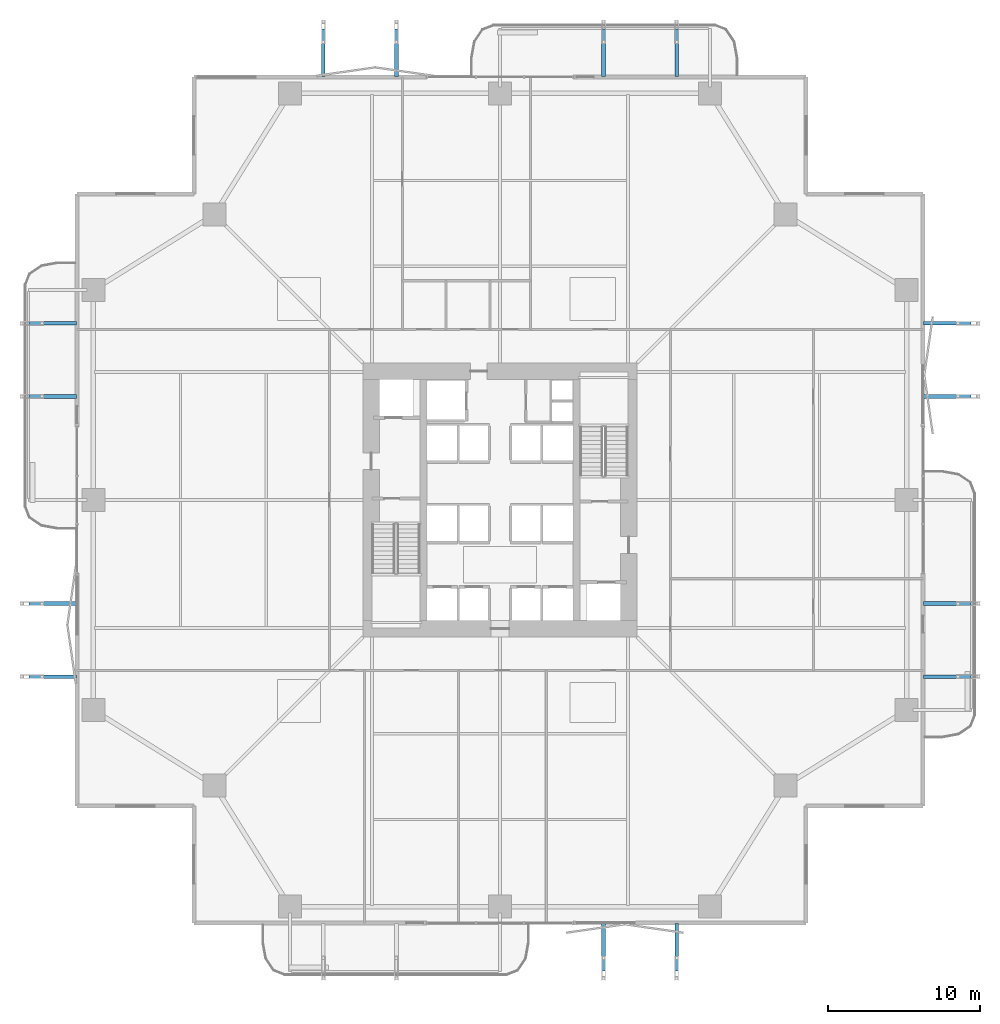
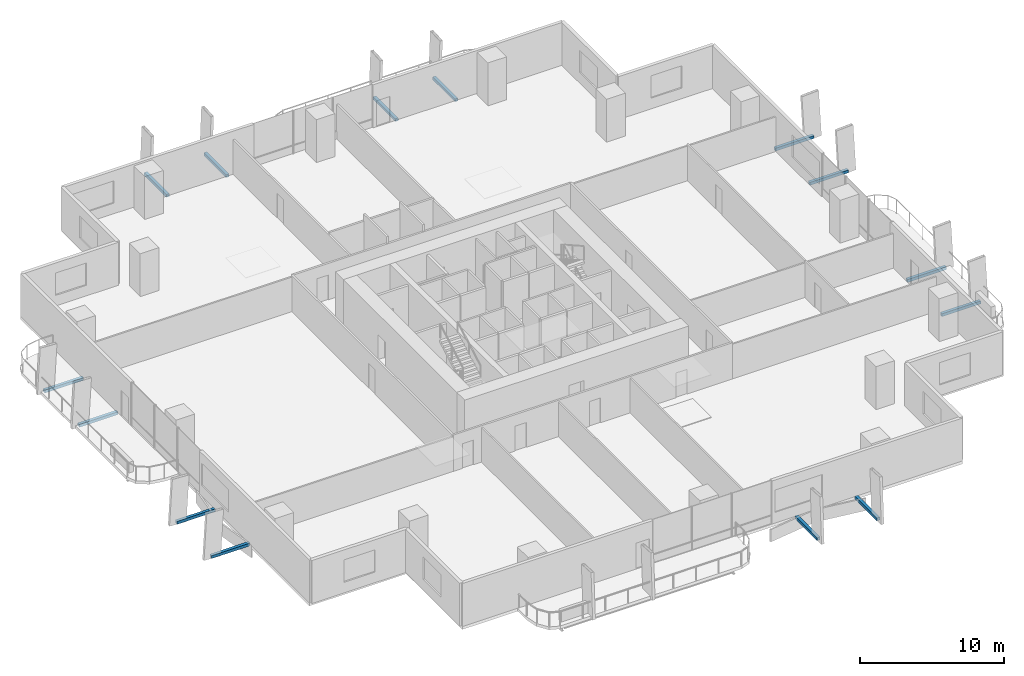
# One storey, part 20 of 23: 14 discrete accessories.
"""IFC4 building model written with IfcOpenShell, lengths in metres."""

import ifcopenshell
import ifcopenshell.guid

model = None  # the IFC model being written
_history = None  # IfcOwnerHistory: only IFC2X3 demands one
_inside = {}  # id of a spatial element -> (the spatial element, [elements in it])
_under = {}  # id of a project, library or spatial element -> (it, [spatial elements below it])
_declared = {}  # id of a project -> (the project, [libraries it declares])
_typed = {}  # id of a type object -> (the type object, [elements of that type])
_made_of = {}  # id of a material, layer set ... -> (it, [elements and type objects made of it])


def new_model(schema):
    """Start an empty IFC model of exactly this schema.

    Asked for "IFC4X3", IfcOpenShell would pick the latest addendum, in which some entities
    have other attributes; the version numbers below select the first issue.
    IFC2X3 requires an IfcOwnerHistory on every rooted entity: one is made here for all.
    """
    global model, _history
    if schema == "IFC4X3":
        model = ifcopenshell.file(schema_version=(4, 3, 0, 0))
    else:
        model = ifcopenshell.file(schema=schema)
    _inside.clear()
    _under.clear()
    _declared.clear()
    _typed.clear()
    _made_of.clear()
    _history = None
    if model.schema == "IFC2X3":
        org = make("IfcOrganization", Name="unknown")
        user = make(
            "IfcPersonAndOrganization",
            ThePerson=make("IfcPerson", FamilyName="unknown"),
            TheOrganization=org,
        )
        app = make(
            "IfcApplication",
            ApplicationDeveloper=org,
            Version="unknown",
            ApplicationFullName="unknown",
            ApplicationIdentifier="unknown",
        )
        _history = make(
            "IfcOwnerHistory",
            OwningUser=user,
            OwningApplication=app,
            ChangeAction="ADDED",
            CreationDate=0,
        )
    return model


def make(cls, **values):
    """One entity of the class cls with the attributes given. An attribute that is None is left unset."""
    return model.create_entity(
        cls, **{name: value for name, value in values.items() if value is not None}
    )


def rooted(cls, **values):
    """An entity with a GlobalId (a new one), such as an element, a storey or a relation."""
    return make(cls, GlobalId=ifcopenshell.guid.new(), OwnerHistory=_history, **values)


def si_unit(unit_type, name, prefix=None):
    """IfcSIUnit, for example si_unit("LENGTHUNIT", "METRE", prefix="MILLI")."""
    return make("IfcSIUnit", UnitType=unit_type, Prefix=prefix, Name=name)


def assignment(units):
    """IfcUnitAssignment: the units of a project."""
    return None if units is None else make("IfcUnitAssignment", Units=units)


def point(xyz):
    """IfcCartesianPoint."""
    return None if xyz is None else make("IfcCartesianPoint", Coordinates=xyz)


def direction(xyz):
    """IfcDirection."""
    return None if xyz is None else make("IfcDirection", DirectionRatios=xyz)


def frame(location, z_axis=None, x_axis=None):
    """IfcAxis2Placement3D, a coordinate frame: its origin and axes. An axis left out is left unset."""
    return make(
        "IfcAxis2Placement3D",
        Location=point(location),
        Axis=direction(z_axis),
        RefDirection=direction(x_axis),
    )


def frame_2d(location, x_axis=None):
    """IfcAxis2Placement2D, a coordinate frame in the plane: its origin and x axis."""
    return make(
        "IfcAxis2Placement2D", Location=point(location), RefDirection=direction(x_axis)
    )


def origin():
    """The frame at (0, 0, 0) with its axes left unset."""
    return frame((0.0, 0.0, 0.0))


def origin_2d():
    """The frame at (0, 0) in the plane with its x axis left unset."""
    return frame_2d((0.0, 0.0))


def place(relative_to, where):
    """IfcLocalPlacement: puts the frame where relative to a parent placement (None: the world)."""
    return make(
        "IfcLocalPlacement", PlacementRelTo=relative_to, RelativePlacement=where
    )


def context(
    kind, dimensions, precision=None, world=None, true_north=None, identifier=None
):
    """IfcGeometricRepresentationContext, for example the 3D "Model" context."""
    return make(
        "IfcGeometricRepresentationContext",
        ContextIdentifier=identifier,
        ContextType=kind,
        CoordinateSpaceDimension=dimensions,
        Precision=precision,
        WorldCoordinateSystem=world,
        TrueNorth=true_north,
    )


def subcontext(parent, identifier, kind, view, scale=None):
    """IfcGeometricRepresentationSubContext, for example "Body" below "Model"."""
    return make(
        "IfcGeometricRepresentationSubContext",
        ContextIdentifier=identifier,
        ContextType=kind,
        ParentContext=parent,
        TargetScale=scale,
        TargetView=view,
    )


def project(units=None, contexts=None):
    """IfcProject with its units and contexts."""
    return rooted(
        "IfcProject",
        Name="project",
        RepresentationContexts=contexts,
        UnitsInContext=assignment(units),
    )


def spatial(cls, under=None, at=None, **own):
    """A site, building, storey or space (cls), placed at a placement, below another one or the project."""
    s = rooted(cls, ObjectPlacement=at, **own)
    if under is not None:
        _under.setdefault(under.id(), (under, []))[1].append(s)
    return s


def profile(cls, at=None, kind="AREA", **sizes):
    """A parametric profile (cls). Its sizes go by their IFC names, for example OverallWidth=200.0."""
    return make(cls, ProfileType=kind, Position=at, **sizes)


def rectangle(**sizes):
    """IfcRectangleProfileDef."""
    return profile("IfcRectangleProfileDef", **sizes)


def extrude(swept, where, along, depth):
    """IfcExtrudedAreaSolid: the profile swept, set in the frame where, extruded along a direction by depth."""
    return make(
        "IfcExtrudedAreaSolid",
        SweptArea=swept,
        Position=where,
        ExtrudedDirection=direction(along),
        Depth=depth,
    )


def shape(context_of_items, identifier, shape_type, items):
    """IfcShapeRepresentation: the items that make up one representation, for example the "Body"."""
    return make(
        "IfcShapeRepresentation",
        ContextOfItems=context_of_items,
        RepresentationIdentifier=identifier,
        RepresentationType=shape_type,
        Items=items,
    )


def material(Name=None, Category=None):
    """IfcMaterial."""
    return make("IfcMaterial", Name=Name, Category=Category)


def layer(
    of_material, thickness, ventilated=None, Name=None, Category=None, Priority=None
):
    """IfcMaterialLayer: one layer of a wall or slab, of a material (None: an air gap)."""
    return make(
        "IfcMaterialLayer",
        Material=of_material,
        LayerThickness=thickness,
        IsVentilated=ventilated,
        Name=Name,
        Category=Category,
        Priority=Priority,
    )


def layer_set(layers, Name=None):
    """IfcMaterialLayerSet."""
    return make("IfcMaterialLayerSet", MaterialLayers=layers, LayerSetName=Name)


def made_of(thing, what):
    """Note that an element or type object is made of a material, layer set ...; save() writes the relation."""
    if what is not None:
        _made_of.setdefault(what.id(), (what, []))[1].append(thing)
    return thing


def type_object(cls, material=None, **own):
    """A type object (cls), such as IfcWallType, which elements share."""
    return made_of(rooted(cls, **own), material)


def element(
    cls,
    number,
    at=None,
    inside=None,
    cuts=None,
    type_object=None,
    material=None,
    context=None,
    identifier="Body",
    shape_type=None,
    held_by="IfcProductDefinitionShape",
    body=None,
    shapes=None,
    **own,
):
    """One element of the class cls, such as IfcWall. Its Tag is "e" and its number.

    at: its placement. inside: the storey or other place that contains it. cuts: it is an
    opening in that element (IfcRelVoidsElement). A single representation is given by context,
    identifier, shape_type and body (its items); several are given by shapes. held_by: the class
    of the entity that holds the representations. save() writes the other relations.
    """
    e = rooted(cls, Tag="e%d" % number, ObjectPlacement=at, **own)
    if body is not None:
        shapes = [shape(context, identifier, shape_type, body)]
    if shapes is not None:
        e.Representation = make(held_by, Representations=shapes)
    if inside is not None:
        _inside.setdefault(inside.id(), (inside, []))[1].append(e)
    if cuts is not None:
        rooted(
            "IfcRelVoidsElement", RelatingBuildingElement=cuts, RelatedOpeningElement=e
        )
    if type_object is not None:
        _typed.setdefault(type_object.id(), (type_object, []))[1].append(e)
    return made_of(e, material)


def aggregate(whole, parts):
    """IfcRelAggregates: a whole, such as a stair, and the parts it consists of."""
    return rooted("IfcRelAggregates", RelatingObject=whole, RelatedObjects=parts)


def save(model, path):
    """Write the relations noted so far, then the file.

    IfcRelAggregates (storeys below a building ...), IfcRelContainedInSpatialStructure (elements
    in a storey), IfcRelDefinesByType, IfcRelAssociatesMaterial and IfcRelDeclares: one each for
    every whole, place, type object, material and project.
    """
    for whole, parts in _under.values():
        aggregate(whole, parts)
    for where, things in _inside.values():
        rooted(
            "IfcRelContainedInSpatialStructure",
            RelatedElements=things,
            RelatingStructure=where,
        )
    for kind, things in _typed.values():
        rooted("IfcRelDefinesByType", RelatedObjects=things, RelatingType=kind)
    for what, things in _made_of.values():
        rooted("IfcRelAssociatesMaterial", RelatedObjects=things, RelatingMaterial=what)
    for by, libraries in _declared.values():
        rooted("IfcRelDeclares", RelatingContext=by, RelatedDefinitions=libraries)
    model.write(path)


model = new_model("IFC4")

# Units and contexts
model_context = context("Model", 3, precision=1e-05, world=origin(), true_north=direction((0.0, 1.0)))
body_context = subcontext(model_context, "Body", "Model", "MODEL_VIEW")
ifc_project = project(units=[si_unit("LENGTHUNIT", "METRE"), si_unit("AREAUNIT", "SQUARE_METRE"), si_unit("VOLUMEUNIT", "CUBIC_METRE"), si_unit("PLANEANGLEUNIT", "RADIAN"), si_unit("MASSUNIT", "GRAM", prefix="KILO")], contexts=[model_context])

# Site, building, storey
site_placement = place(None, origin())
site = spatial("IfcSite", under=ifc_project, at=site_placement, CompositionType="ELEMENT")
building_placement = place(site_placement, origin())
building = spatial("IfcBuilding", under=site, at=building_placement, Name="Belovzor Exchange Tower", CompositionType="ELEMENT")
storey_placement = place(building_placement, frame((0.0, 0.0, 41.699951171875)))
storey = spatial("IfcBuildingStorey", under=building, at=storey_placement, Name="L09", CompositionType="ELEMENT", Elevation=41.699951171875)

# Discrete accessories
ifc_material = material(Name="Stainless Steel Grade 316", Category="steel")
ifc_layer = layer(ifc_material, 0.179931640625)
ifc_layer_set = layer_set([ifc_layer], Name="Stainless Steel Grade 316")
discrete_accessory_type = type_object("IfcDiscreteAccessoryType", Name="Stainless Steel Facade Outrigger Fixing Bracket", PredefinedType="BRACKET", material=ifc_layer_set)
for number, where, z_axis, x_axis, name in (
    (1, (17.199951171875, 58.173095703125, -0.2451171875), (0.0, 0.0, 1.0), (0.0, 1.0, 0.0), "BRK-FIN1 Sweeping Fin Outrigger Bracket L09 N1"),
    (2, (-0.572998046875, 17.199951171875, -0.2451171875), (0.0, 0.0, 1.0), (1.0, 0.0, 0.0), "BRK-FIN1 Sweeping Fin Outrigger Bracket L09 W1"),
    (3, (58.173095703125, 17.199951171875, -0.2451171875), (0.0, 0.0, 1.0), (1.0, 0.0, 0.0), "BRK-FIN1 Sweeping Fin Outrigger Bracket L09 E1"),
    (4, (22.0, 58.173095703125, -0.2451171875), (0.0, 0.0, 1.0), (0.0, 1.0, 0.0), "BRK-FIN1 Sweeping Fin Outrigger Bracket L09 N2"),
    (5, (-0.572998046875, 22.0, -0.2451171875), (0.0, 0.0, 1.0), (1.0, 0.0, 0.0), "BRK-FIN1 Sweeping Fin Outrigger Bracket L09 W2"),
    (6, (58.173095703125, 22.0, -0.2451171875), (0.0, 0.0, 1.0), (1.0, 0.0, 0.0), "BRK-FIN1 Sweeping Fin Outrigger Bracket L09 E2"),
    (7, (35.60009765625, -0.572998046875, -0.2451171875), (0.0, 0.0, 1.0), (0.0, 1.0, 0.0), "BRK-FIN1 Sweeping Fin Outrigger Bracket L09 S3"),
    (8, (35.60009765625, 58.173095703125, -0.2451171875), (0.0, 0.0, 1.0), (0.0, 1.0, 0.0), "BRK-FIN1 Sweeping Fin Outrigger Bracket L09 N3"),
    (9, (-0.572998046875, 35.60009765625, -0.2451171875), (0.0, 0.0, 1.0), (1.0, 0.0, 0.0), "BRK-FIN1 Sweeping Fin Outrigger Bracket L09 W3"),
    (10, (58.173095703125, 35.60009765625, -0.2451171875), (0.0, 0.0, 1.0), (1.0, 0.0, 0.0), "BRK-FIN1 Sweeping Fin Outrigger Bracket L09 E3"),
    (11, (40.39990234375, -0.572998046875, -0.2451171875), (0.0, 0.0, 1.0), (0.0, 1.0, 0.0), "BRK-FIN1 Sweeping Fin Outrigger Bracket L09 S4"),
    (12, (40.39990234375, 58.173095703125, -0.2451171875), (0.0, 0.0, 1.0), (0.0, 1.0, 0.0), "BRK-FIN1 Sweeping Fin Outrigger Bracket L09 N4"),
    (13, (-0.572998046875, 40.39990234375, -0.2451171875), (0.0, 0.0, 1.0), (1.0, 0.0, 0.0), "BRK-FIN1 Sweeping Fin Outrigger Bracket L09 W4"),
    (14, (58.173095703125, 40.39990234375, -0.2451171875), (0.0, 0.0, 1.0), (1.0, 0.0, 0.0), "BRK-FIN1 Sweeping Fin Outrigger Bracket L09 E4"),
):
    element("IfcDiscreteAccessory", number, at=place(storey_placement, frame(where, z_axis=z_axis, x_axis=x_axis)), inside=storey, type_object=discrete_accessory_type, Name=name, PredefinedType="BRACKET", context=body_context, shape_type="SweptSolid", body=[
        extrude(rectangle(XDim=3.10595703125, YDim=0.239990234375, at=origin_2d()), origin(), (0.0, 0.0, 1.0), 0.239990234375),
    ])

save(model, "model.ifc")
